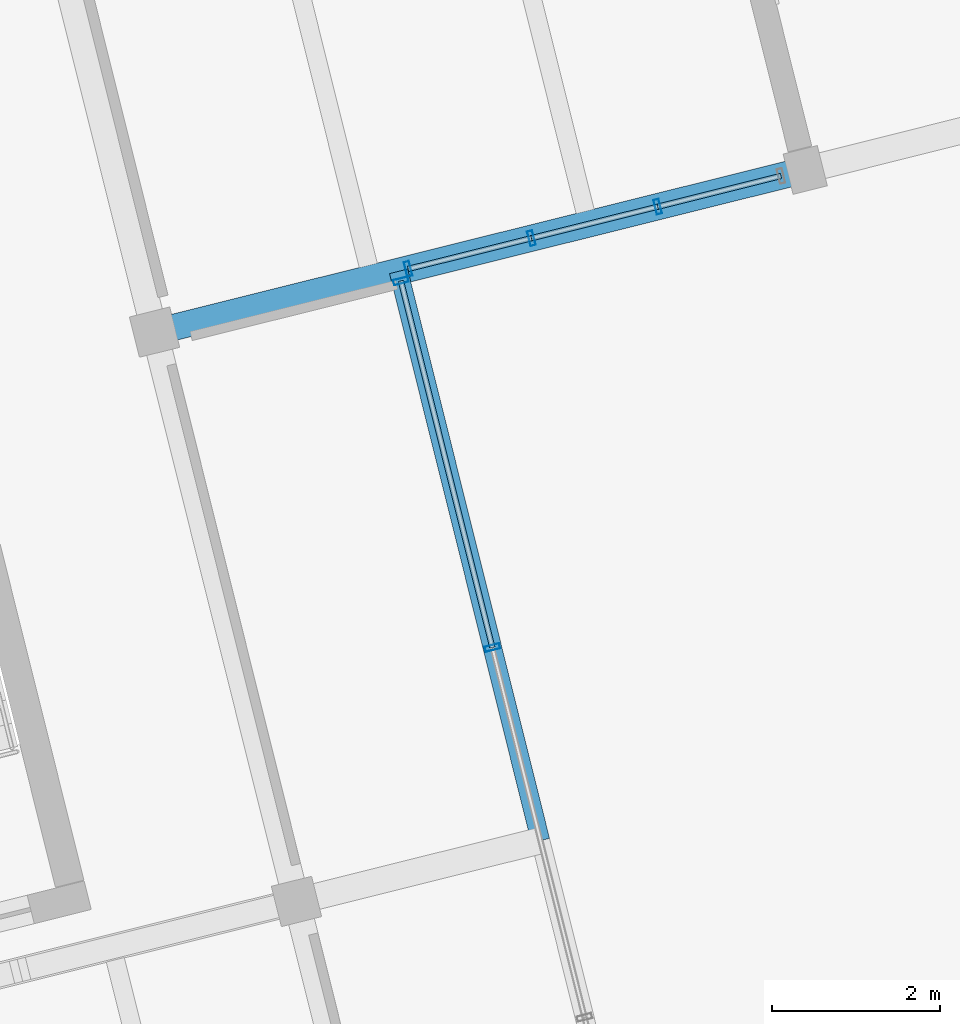
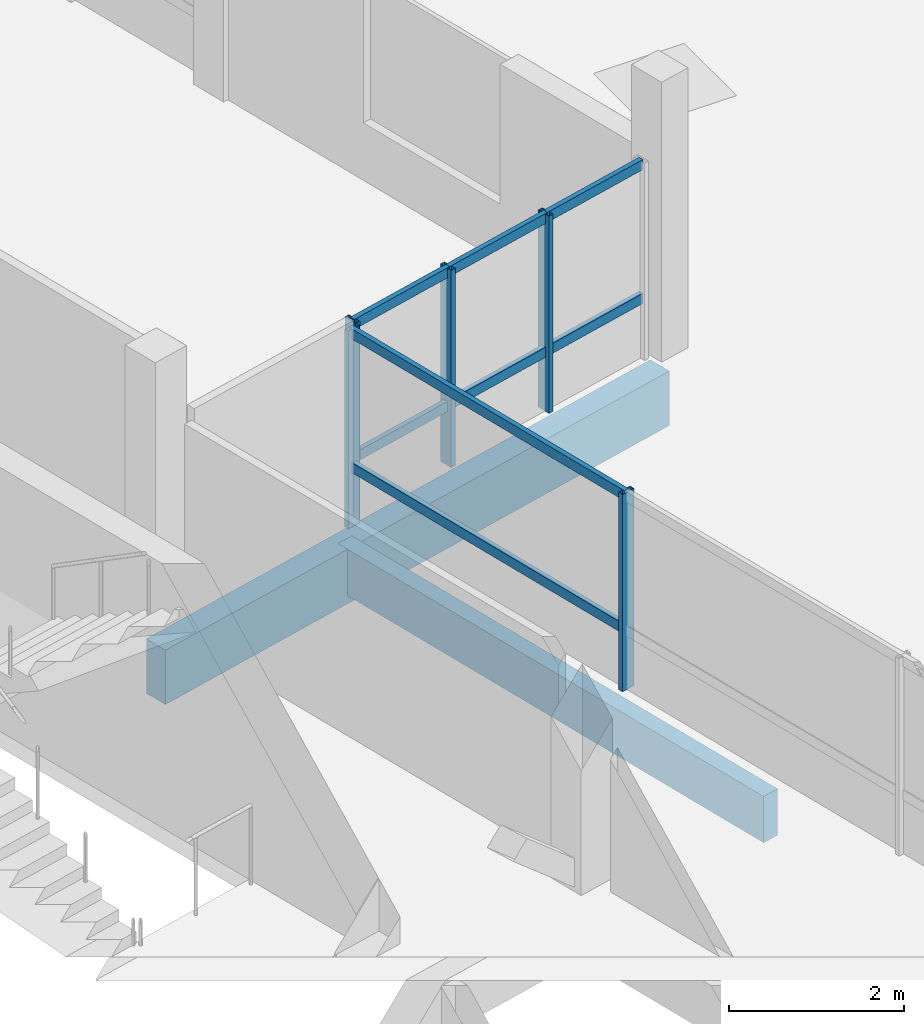
# One storey, part 16 of 37: 13 members, 2 beams, 2 elements without a shape of their own.
"""IFC4 building model written with IfcOpenShell, lengths in metres."""

import ifcopenshell
import ifcopenshell.guid

model = None  # the IFC model being written
_history = None  # IfcOwnerHistory: only IFC2X3 demands one
_inside = {}  # id of a spatial element -> (the spatial element, [elements in it])
_under = {}  # id of a project, library or spatial element -> (it, [spatial elements below it])
_declared = {}  # id of a project -> (the project, [libraries it declares])
_typed = {}  # id of a type object -> (the type object, [elements of that type])
_made_of = {}  # id of a material, layer set ... -> (it, [elements and type objects made of it])


def new_model(schema):
    """Start an empty IFC model of exactly this schema.

    Asked for "IFC4X3", IfcOpenShell would pick the latest addendum, in which some entities
    have other attributes; the version numbers below select the first issue.
    IFC2X3 requires an IfcOwnerHistory on every rooted entity: one is made here for all.
    """
    global model, _history
    if schema == "IFC4X3":
        model = ifcopenshell.file(schema_version=(4, 3, 0, 0))
    else:
        model = ifcopenshell.file(schema=schema)
    _inside.clear()
    _under.clear()
    _declared.clear()
    _typed.clear()
    _made_of.clear()
    _history = None
    if model.schema == "IFC2X3":
        org = make("IfcOrganization", Name="unknown")
        user = make(
            "IfcPersonAndOrganization",
            ThePerson=make("IfcPerson", FamilyName="unknown"),
            TheOrganization=org,
        )
        app = make(
            "IfcApplication",
            ApplicationDeveloper=org,
            Version="unknown",
            ApplicationFullName="unknown",
            ApplicationIdentifier="unknown",
        )
        _history = make(
            "IfcOwnerHistory",
            OwningUser=user,
            OwningApplication=app,
            ChangeAction="ADDED",
            CreationDate=0,
        )
    return model


def make(cls, **values):
    """One entity of the class cls with the attributes given. An attribute that is None is left unset."""
    return model.create_entity(
        cls, **{name: value for name, value in values.items() if value is not None}
    )


def rooted(cls, **values):
    """An entity with a GlobalId (a new one), such as an element, a storey or a relation."""
    return make(cls, GlobalId=ifcopenshell.guid.new(), OwnerHistory=_history, **values)


def si_unit(unit_type, name, prefix=None):
    """IfcSIUnit, for example si_unit("LENGTHUNIT", "METRE", prefix="MILLI")."""
    return make("IfcSIUnit", UnitType=unit_type, Prefix=prefix, Name=name)


def assignment(units):
    """IfcUnitAssignment: the units of a project."""
    return None if units is None else make("IfcUnitAssignment", Units=units)


def point(xyz):
    """IfcCartesianPoint."""
    return None if xyz is None else make("IfcCartesianPoint", Coordinates=xyz)


def direction(xyz):
    """IfcDirection."""
    return None if xyz is None else make("IfcDirection", DirectionRatios=xyz)


def frame(location, z_axis=None, x_axis=None):
    """IfcAxis2Placement3D, a coordinate frame: its origin and axes. An axis left out is left unset."""
    return make(
        "IfcAxis2Placement3D",
        Location=point(location),
        Axis=direction(z_axis),
        RefDirection=direction(x_axis),
    )


def frame_2d(location, x_axis=None):
    """IfcAxis2Placement2D, a coordinate frame in the plane: its origin and x axis."""
    return make(
        "IfcAxis2Placement2D", Location=point(location), RefDirection=direction(x_axis)
    )


def origin():
    """The frame at (0, 0, 0) with its axes left unset."""
    return frame((0.0, 0.0, 0.0))


def origin_2d():
    """The frame at (0, 0) in the plane with its x axis left unset."""
    return frame_2d((0.0, 0.0))


def place(relative_to, where):
    """IfcLocalPlacement: puts the frame where relative to a parent placement (None: the world)."""
    return make(
        "IfcLocalPlacement", PlacementRelTo=relative_to, RelativePlacement=where
    )


def context(
    kind, dimensions, precision=None, world=None, true_north=None, identifier=None
):
    """IfcGeometricRepresentationContext, for example the 3D "Model" context."""
    return make(
        "IfcGeometricRepresentationContext",
        ContextIdentifier=identifier,
        ContextType=kind,
        CoordinateSpaceDimension=dimensions,
        Precision=precision,
        WorldCoordinateSystem=world,
        TrueNorth=true_north,
    )


def subcontext(parent, identifier, kind, view, scale=None):
    """IfcGeometricRepresentationSubContext, for example "Body" below "Model"."""
    return make(
        "IfcGeometricRepresentationSubContext",
        ContextIdentifier=identifier,
        ContextType=kind,
        ParentContext=parent,
        TargetScale=scale,
        TargetView=view,
    )


def project(units=None, contexts=None):
    """IfcProject with its units and contexts."""
    return rooted(
        "IfcProject",
        Name="project",
        RepresentationContexts=contexts,
        UnitsInContext=assignment(units),
    )


def spatial(cls, under=None, at=None, **own):
    """A site, building, storey or space (cls), placed at a placement, below another one or the project."""
    s = rooted(cls, ObjectPlacement=at, **own)
    if under is not None:
        _under.setdefault(under.id(), (under, []))[1].append(s)
    return s


def profile(cls, at=None, kind="AREA", **sizes):
    """A parametric profile (cls). Its sizes go by their IFC names, for example OverallWidth=200.0."""
    return make(cls, ProfileType=kind, Position=at, **sizes)


def rectangle(**sizes):
    """IfcRectangleProfileDef."""
    return profile("IfcRectangleProfileDef", **sizes)


def hollow_rectangle(**sizes):
    """IfcRectangleHollowProfileDef."""
    return profile("IfcRectangleHollowProfileDef", **sizes)


def extrude(swept, where, along, depth):
    """IfcExtrudedAreaSolid: the profile swept, set in the frame where, extruded along a direction by depth."""
    return make(
        "IfcExtrudedAreaSolid",
        SweptArea=swept,
        Position=where,
        ExtrudedDirection=direction(along),
        Depth=depth,
    )


def shape(context_of_items, identifier, shape_type, items):
    """IfcShapeRepresentation: the items that make up one representation, for example the "Body"."""
    return make(
        "IfcShapeRepresentation",
        ContextOfItems=context_of_items,
        RepresentationIdentifier=identifier,
        RepresentationType=shape_type,
        Items=items,
    )


def material(Name=None, Category=None):
    """IfcMaterial."""
    return make("IfcMaterial", Name=Name, Category=Category)


def layer(
    of_material, thickness, ventilated=None, Name=None, Category=None, Priority=None
):
    """IfcMaterialLayer: one layer of a wall or slab, of a material (None: an air gap)."""
    return make(
        "IfcMaterialLayer",
        Material=of_material,
        LayerThickness=thickness,
        IsVentilated=ventilated,
        Name=Name,
        Category=Category,
        Priority=Priority,
    )


def layer_set(layers, Name=None):
    """IfcMaterialLayerSet."""
    return make("IfcMaterialLayerSet", MaterialLayers=layers, LayerSetName=Name)


def material_profile(
    of_material, cross_section, Name=None, Category=None, Priority=None
):
    """IfcMaterialProfile: a cross section and its material."""
    return make(
        "IfcMaterialProfile",
        Name=Name,
        Material=of_material,
        Profile=cross_section,
        Priority=Priority,
        Category=Category,
    )


def profile_set(profiles, Name=None, composite=None):
    """IfcMaterialProfileSet."""
    return make(
        "IfcMaterialProfileSet",
        Name=Name,
        MaterialProfiles=profiles,
        CompositeProfile=composite,
    )


def made_of(thing, what):
    """Note that an element or type object is made of a material, layer set ...; save() writes the relation."""
    if what is not None:
        _made_of.setdefault(what.id(), (what, []))[1].append(thing)
    return thing


def type_object(cls, material=None, **own):
    """A type object (cls), such as IfcWallType, which elements share."""
    return made_of(rooted(cls, **own), material)


def element(
    cls,
    number,
    at=None,
    inside=None,
    cuts=None,
    type_object=None,
    material=None,
    context=None,
    identifier="Body",
    shape_type=None,
    held_by="IfcProductDefinitionShape",
    body=None,
    shapes=None,
    **own,
):
    """One element of the class cls, such as IfcWall. Its Tag is "e" and its number.

    at: its placement. inside: the storey or other place that contains it. cuts: it is an
    opening in that element (IfcRelVoidsElement). A single representation is given by context,
    identifier, shape_type and body (its items); several are given by shapes. held_by: the class
    of the entity that holds the representations. save() writes the other relations.
    """
    e = rooted(cls, Tag="e%d" % number, ObjectPlacement=at, **own)
    if body is not None:
        shapes = [shape(context, identifier, shape_type, body)]
    if shapes is not None:
        e.Representation = make(held_by, Representations=shapes)
    if inside is not None:
        _inside.setdefault(inside.id(), (inside, []))[1].append(e)
    if cuts is not None:
        rooted(
            "IfcRelVoidsElement", RelatingBuildingElement=cuts, RelatedOpeningElement=e
        )
    if type_object is not None:
        _typed.setdefault(type_object.id(), (type_object, []))[1].append(e)
    return made_of(e, material)


def aggregate(whole, parts):
    """IfcRelAggregates: a whole, such as a stair, and the parts it consists of."""
    return rooted("IfcRelAggregates", RelatingObject=whole, RelatedObjects=parts)


def save(model, path):
    """Write the relations noted so far, then the file.

    IfcRelAggregates (storeys below a building ...), IfcRelContainedInSpatialStructure (elements
    in a storey), IfcRelDefinesByType, IfcRelAssociatesMaterial and IfcRelDeclares: one each for
    every whole, place, type object, material and project.
    """
    for whole, parts in _under.values():
        aggregate(whole, parts)
    for where, things in _inside.values():
        rooted(
            "IfcRelContainedInSpatialStructure",
            RelatedElements=things,
            RelatingStructure=where,
        )
    for kind, things in _typed.values():
        rooted("IfcRelDefinesByType", RelatedObjects=things, RelatingType=kind)
    for what, things in _made_of.values():
        rooted("IfcRelAssociatesMaterial", RelatedObjects=things, RelatingMaterial=what)
    for by, libraries in _declared.values():
        rooted("IfcRelDeclares", RelatingContext=by, RelatedDefinitions=libraries)
    model.write(path)


model = new_model("IFC4")

# Units and contexts
model_context = context("Model", 3, precision=1e-05, world=origin(), true_north=direction((0.0, 1.0)))
body_context = subcontext(model_context, "Body", "Model", "MODEL_VIEW")
ifc_project = project(units=[si_unit("LENGTHUNIT", "METRE"), si_unit("AREAUNIT", "SQUARE_METRE"), si_unit("VOLUMEUNIT", "CUBIC_METRE"), si_unit("PLANEANGLEUNIT", "RADIAN"), si_unit("MASSUNIT", "GRAM", prefix="KILO")], contexts=[model_context])

# Site, building, storey
site_placement = place(None, origin())
site = spatial("IfcSite", under=ifc_project, at=site_placement, CompositionType="ELEMENT")
building_placement = place(site_placement, origin())
building = spatial("IfcBuilding", under=site, at=building_placement, Name="Meriwether Solvik Hall", CompositionType="ELEMENT")
storey_placement = place(building_placement, frame((0.0, 0.0, 26.10009765625)))
storey = spatial("IfcBuildingStorey", under=building, at=storey_placement, Name="L06", CompositionType="ELEMENT", Elevation=26.10009765625)

# Beams
ifc_material_1 = material(Name="Glulam Douglas-Fir 24F-V8 GL28h", Category="wood")
ifc_material_profile_1 = material_profile(ifc_material_1, rectangle(XDim=0.221923828125, YDim=0.64501953125, at=origin_2d()), Name="GLB-222X645")
ifc_profile_set_1 = profile_set([ifc_material_profile_1], Name="Glulam Douglas-Fir 24F-V8 GL28h")
beam_type_1 = type_object("IfcBeamType", Name="BM-GL-222X645", PredefinedType="SPANDREL", material=ifc_profile_set_1)
beam_1_placement = place(storey_placement, frame((104.79638671875, 57.23291015625, -0.592529296875), z_axis=(-0.241903692719, 0.970300264582, 0.0), x_axis=(-0.970300264582, -0.241903692719, 0.0)))
element("IfcBeam", 1, at=beam_1_placement, inside=storey, type_object=beam_type_1, Name="Shard Edge Spandrel 2 (L06)", PredefinedType="SPANDREL", context=body_context, shape_type="SweptSolid", body=[
    extrude(rectangle(XDim=0.221923828125, YDim=0.64501953125, at=origin_2d()), origin(), (0.0, 0.0, 1.0), 7.000244140625),
])
ifc_material_2 = material(Name="Glulam Douglas-Fir 24F-V8 GL28h", Category="wood")
ifc_material_profile_2 = material_profile(ifc_material_2, rectangle(XDim=0.31494140625, YDim=0.760009765625, at=origin_2d()), Name="GLB-315X760")
ifc_profile_set_2 = profile_set([ifc_material_profile_2], Name="Glulam Douglas-Fir 24F-V8 GL28h")
beam_type_2 = type_object("IfcBeamType", Name="BM-GL-315X760", PredefinedType="BEAM", material=ifc_profile_set_2)
beam_2_placement = place(storey_placement, frame((100.192138671875, 63.29931640625, -0.650146484375), z_axis=(0.970298475929, 0.241910867076, 0.0), x_axis=(-0.241910867076, 0.970298475929, 0.0)))
element("IfcBeam", 2, at=beam_2_placement, inside=storey, type_object=beam_type_2, Name="Tower Girder TC:T6-T7 (L06)", PredefinedType="BEAM", context=body_context, shape_type="SweptSolid", body=[
    extrude(rectangle(XDim=0.31494140625, YDim=0.760009765625, at=origin_2d()), origin(), (0.0, 0.0, 1.0), 8.0),
])

# Curtain wall, members
ifc_material_3 = material(Name="Thermally Broken Anodised Aluminium 6063-T6 and Low-E Glass", Category="aluminium")
ifc_layer_1 = layer(ifc_material_3, 0.179931640625)
ifc_layer_set_1 = layer_set([ifc_layer_1], Name="Thermally Broken Anodised Aluminium 6063-T6 and Low-E Glass")
curtain_wall_type_1 = type_object("IfcCurtainWallType", Name="CW-UNIT-E", PredefinedType="USERDEFINED", material=ifc_layer_set_1)
curtain_wall_1_placement = place(storey_placement, origin())
curtain_wall_1 = element("IfcCurtainWall", 3, at=curtain_wall_1_placement, inside=storey, type_object=curtain_wall_type_1, Name="Curtain Wall E1_B0 (L06)", ObjectType="UNITISED CURTAIN WALL", PredefinedType="USERDEFINED")
ifc_material_4 = material(Name="Anodised Aluminium 6063-T6", Category="aluminium")
ifc_material_profile_3 = material_profile(ifc_material_4, hollow_rectangle(XDim=0.06494140625, YDim=0.179931640625, WallThickness=0.00439453125, at=origin_2d()), Name="CWM-65X180")
ifc_profile_set_3 = profile_set([ifc_material_profile_3], Name="Anodised Aluminium 6063-T6")
member_type_1 = type_object("IfcMemberType", Name="CW-MUL-65X180", PredefinedType="MULLION", material=ifc_profile_set_3)
member_1_placement = place(storey_placement, frame((103.131591796875, 63.91064453125, 0.0), z_axis=(0.0, 0.0, 1.0), x_axis=(0.241921931502, -0.970295717325, 0.0)))
member_1 = element("IfcMember", 4, at=member_1_placement, type_object=member_type_1, Name="Curtain Wall Mullion 1", PredefinedType="MULLION", context=body_context, shape_type="SweptSolid", body=[
    extrude(hollow_rectangle(XDim=0.06494140625, YDim=0.179931640625, WallThickness=0.00439453125, at=origin_2d()), origin(), (0.0, 0.0, 1.0), 2.75),
])
member_2_placement = place(storey_placement, frame((104.222412109375, 59.535888671875, 0.0), z_axis=(0.0, 0.0, 1.0), x_axis=(0.241921931502, -0.970295717325, 0.0)))
member_2 = element("IfcMember", 5, at=member_2_placement, type_object=member_type_1, Name="Curtain Wall Mullion 2", PredefinedType="MULLION", context=body_context, shape_type="SweptSolid", body=[
    extrude(hollow_rectangle(XDim=0.06494140625, YDim=0.179931640625, WallThickness=0.00439453125, at=origin_2d()), origin(), (0.0, 0.0, 1.0), 2.75),
])

ifc_material_5 = material(Name="Thermally Broken Anodised Aluminium 6063-T6 and Low-E Glass", Category="aluminium")
ifc_layer_2 = layer(ifc_material_5, 0.179931640625)
ifc_layer_set_2 = layer_set([ifc_layer_2], Name="Thermally Broken Anodised Aluminium 6063-T6 and Low-E Glass")
curtain_wall_type_2 = type_object("IfcCurtainWallType", Name="CW-UNIT-F", PredefinedType="USERDEFINED", material=ifc_layer_set_2)
curtain_wall_2_placement = place(storey_placement, origin())
curtain_wall_2 = element("IfcCurtainWall", 6, at=curtain_wall_2_placement, inside=storey, type_object=curtain_wall_type_2, Name="Curtain Wall E2_B0 (L06)", ObjectType="UNITISED CURTAIN WALL", PredefinedType="USERDEFINED")
member_3_placement = place(storey_placement, frame((106.1953125, 64.796142578125, 0.0), z_axis=(0.0, 0.0, 1.0), x_axis=(-0.97029572308, -0.241921908419, 0.0)))
member_3 = element("IfcMember", 7, at=member_3_placement, type_object=member_type_1, Name="Curtain Wall Mullion 2", PredefinedType="MULLION", context=body_context, shape_type="SweptSolid", body=[
    extrude(hollow_rectangle(XDim=0.06494140625, YDim=0.179931640625, WallThickness=0.00439453125, at=origin_2d()), origin(), (0.0, 0.0, 1.0), 2.75),
])
member_4_placement = place(storey_placement, frame((104.68798828125, 64.420166015625, 0.0), z_axis=(0.0, 0.0, 1.0), x_axis=(-0.97029572308, -0.241921908419, 0.0)))
member_4 = element("IfcMember", 8, at=member_4_placement, type_object=member_type_1, Name="Curtain Wall Mullion 3", PredefinedType="MULLION", context=body_context, shape_type="SweptSolid", body=[
    extrude(hollow_rectangle(XDim=0.06494140625, YDim=0.179931640625, WallThickness=0.00439453125, at=origin_2d()), origin(), (0.0, 0.0, 1.0), 2.75),
])
member_5_placement = place(storey_placement, frame((103.217529296875, 64.053466796875, 0.0), z_axis=(0.0, 0.0, 1.0), x_axis=(-0.97029572308, -0.241921908419, 0.0)))
member_5 = element("IfcMember", 9, at=member_5_placement, type_object=member_type_1, Name="Curtain Wall Mullion 4", PredefinedType="MULLION", context=body_context, shape_type="SweptSolid", body=[
    extrude(hollow_rectangle(XDim=0.06494140625, YDim=0.179931640625, WallThickness=0.00439453125, at=origin_2d()), origin(), (0.0, 0.0, 1.0), 2.75),
])

# Member
ifc_material_6 = material(Name="Anodised Aluminium 6063-T6", Category="aluminium")
ifc_material_profile_4 = material_profile(ifc_material_6, hollow_rectangle(XDim=0.06494140625, YDim=0.139892578125, WallThickness=0.00439453125, at=origin_2d()), Name="CWT-65X140")
ifc_profile_set_4 = profile_set([ifc_material_profile_4], Name="Anodised Aluminium 6063-T6")
member_type_2 = type_object("IfcMemberType", Name="CW-TRN-65X140", PredefinedType="USERDEFINED", material=ifc_profile_set_4)
member_6_placement = place(storey_placement, frame((103.131591796875, 63.91064453125, 0.824951171875), z_axis=(0.241936757011, -0.970292020789, 0.0), x_axis=(0.970292020789, 0.241936757011, 0.0)))
member_6 = element("IfcMember", 10, at=member_6_placement, type_object=member_type_2, Name="Curtain Wall Transom 1-sill", ObjectType="TRANSOM", PredefinedType="USERDEFINED", context=body_context, shape_type="SweptSolid", body=[
    extrude(hollow_rectangle(XDim=0.06494140625, YDim=0.139892578125, WallThickness=0.00439453125, at=origin_2d()), origin(), (0.0, 0.0, 1.0), 4.5087890625),
])

member_7_placement = place(storey_placement, frame((103.131591796875, 63.91064453125, 2.68994140625), z_axis=(0.241936757011, -0.970292020789, 0.0), x_axis=(0.970292020789, 0.241936757011, 0.0)))
member_7 = element("IfcMember", 11, at=member_7_placement, type_object=member_type_2, Name="Curtain Wall Transom 1-head", ObjectType="TRANSOM", PredefinedType="USERDEFINED", context=body_context, shape_type="SweptSolid", body=[
    extrude(hollow_rectangle(XDim=0.06494140625, YDim=0.139892578125, WallThickness=0.00439453125, at=origin_2d()), origin(), (0.0, 0.0, 1.0), 4.5087890625),
])

aggregate(curtain_wall_1, [member_1, member_2, member_6, member_7])

member_8_placement = place(storey_placement, frame((107.665771484375, 65.16259765625, 0.824951171875), z_axis=(-0.970322288895, -0.241815333826, 0.0), x_axis=(0.241815333826, -0.970322288895, 0.0)))
member_8 = element("IfcMember", 12, at=member_8_placement, type_object=member_type_2, Name="Curtain Wall Transom 1-sill", ObjectType="TRANSOM", PredefinedType="USERDEFINED", context=body_context, shape_type="SweptSolid", body=[
    extrude(hollow_rectangle(XDim=0.06494140625, YDim=0.139892578125, WallThickness=0.00439453125, at=origin_2d()), origin(), (0.0, 0.0, 1.0), 1.515380859375),
])

member_9_placement = place(storey_placement, frame((107.665771484375, 65.16259765625, 2.68994140625), z_axis=(-0.970322288895, -0.241815333826, 0.0), x_axis=(0.241815333826, -0.970322288895, 0.0)))
member_9 = element("IfcMember", 13, at=member_9_placement, type_object=member_type_2, Name="Curtain Wall Transom 1-head", ObjectType="TRANSOM", PredefinedType="USERDEFINED", context=body_context, shape_type="SweptSolid", body=[
    extrude(hollow_rectangle(XDim=0.06494140625, YDim=0.139892578125, WallThickness=0.00439453125, at=origin_2d()), origin(), (0.0, 0.0, 1.0), 1.515380859375),
])

member_10_placement = place(storey_placement, frame((106.1953125, 64.796142578125, 0.824951171875), z_axis=(-0.970271783362, -0.242017905147, 0.0), x_axis=(0.242017905147, -0.970271783362, 0.0)))
member_10 = element("IfcMember", 14, at=member_10_placement, type_object=member_type_2, Name="Curtain Wall Transom 2-sill", ObjectType="TRANSOM", PredefinedType="USERDEFINED", context=body_context, shape_type="SweptSolid", body=[
    extrude(hollow_rectangle(XDim=0.06494140625, YDim=0.139892578125, WallThickness=0.00439453125, at=origin_2d()), origin(), (0.0, 0.0, 1.0), 1.553466796875),
])

member_11_placement = place(storey_placement, frame((106.1953125, 64.796142578125, 2.68994140625), z_axis=(-0.970271783362, -0.242017905147, 0.0), x_axis=(0.242017905147, -0.970271783362, 0.0)))
member_11 = element("IfcMember", 15, at=member_11_placement, type_object=member_type_2, Name="Curtain Wall Transom 2-head", ObjectType="TRANSOM", PredefinedType="USERDEFINED", context=body_context, shape_type="SweptSolid", body=[
    extrude(hollow_rectangle(XDim=0.06494140625, YDim=0.139892578125, WallThickness=0.00439453125, at=origin_2d()), origin(), (0.0, 0.0, 1.0), 1.553466796875),
])

member_12_placement = place(storey_placement, frame((104.68798828125, 64.420166015625, 0.824951171875), z_axis=(-0.97028447754, -0.241967007349, 0.0), x_axis=(0.241967007349, -0.97028447754, 0.0)))
member_12 = element("IfcMember", 16, at=member_12_placement, type_object=member_type_2, Name="Curtain Wall Transom 3-sill", ObjectType="TRANSOM", PredefinedType="USERDEFINED", context=body_context, shape_type="SweptSolid", body=[
    extrude(hollow_rectangle(XDim=0.06494140625, YDim=0.139892578125, WallThickness=0.00439453125, at=origin_2d()), origin(), (0.0, 0.0, 1.0), 1.515380859375),
])

member_13_placement = place(storey_placement, frame((104.68798828125, 64.420166015625, 2.68994140625), z_axis=(-0.97028447754, -0.241967007349, 0.0), x_axis=(0.241967007349, -0.97028447754, 0.0)))
member_13 = element("IfcMember", 17, at=member_13_placement, type_object=member_type_2, Name="Curtain Wall Transom 3-head", ObjectType="TRANSOM", PredefinedType="USERDEFINED", context=body_context, shape_type="SweptSolid", body=[
    extrude(hollow_rectangle(XDim=0.06494140625, YDim=0.139892578125, WallThickness=0.00439453125, at=origin_2d()), origin(), (0.0, 0.0, 1.0), 1.515380859375),
])

aggregate(curtain_wall_2, [member_3, member_4, member_5, member_8, member_9, member_10, member_11, member_12, member_13])

save(model, "model.ifc")
